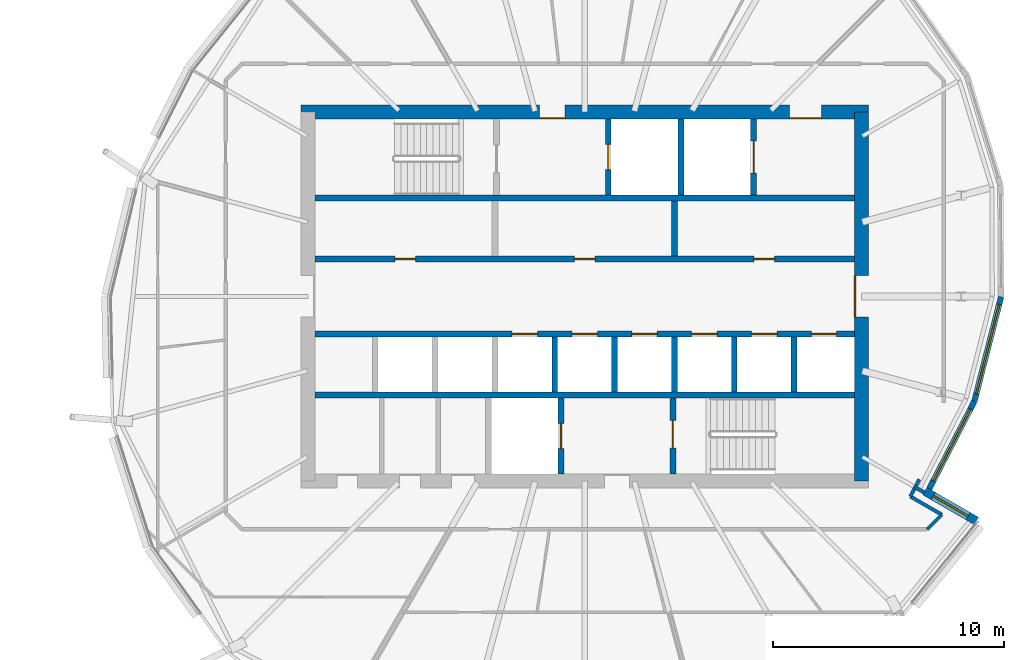
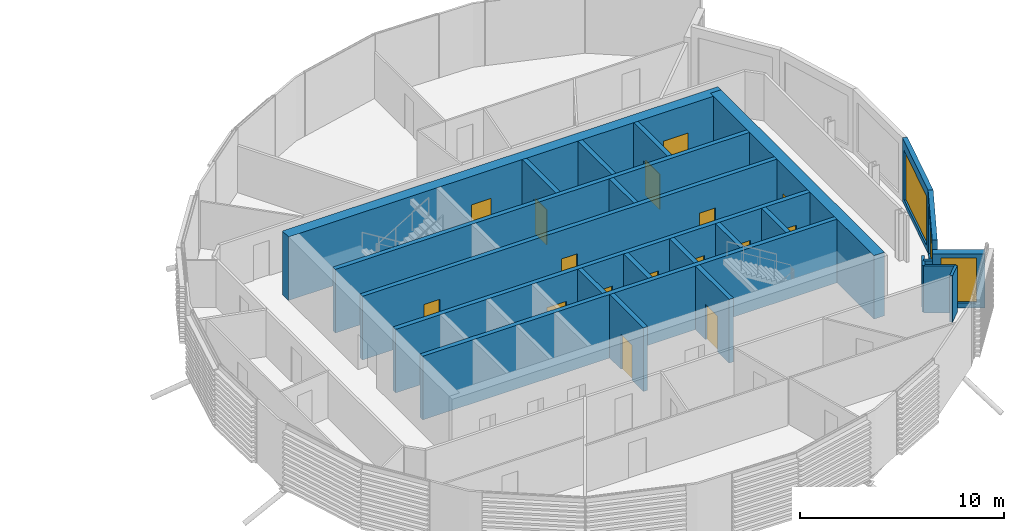
# One storey, part 23 of 38: 24 walls, 16 doors, 3 windows, 19 openings.
"""IFC4 building model written with IfcOpenShell, lengths in metres."""

from ifc_helpers import new_model, si_unit, direction, frame, frame_2d, origin, place, context, subcontext, project, spatial, rectangle, extrude, material, layer, layer_set, type_object, element, fill, save


model = new_model("IFC4")

# Units and contexts
model_context = context("Model", 3, precision=1e-05, world=origin(), true_north=direction((0.0, 1.0)))
body_context = subcontext(model_context, "Body", "Model", "MODEL_VIEW")
ifc_project = project(units=[si_unit("LENGTHUNIT", "METRE"), si_unit("AREAUNIT", "SQUARE_METRE"), si_unit("VOLUMEUNIT", "CUBIC_METRE"), si_unit("PLANEANGLEUNIT", "RADIAN"), si_unit("MASSUNIT", "GRAM", prefix="KILO")], contexts=[model_context])

# Site, building, storey
site_placement = place(None, origin())
site = spatial("IfcSite", under=ifc_project, at=site_placement, CompositionType="ELEMENT")
building_placement = place(site_placement, origin())
building = spatial("IfcBuilding", under=site, at=building_placement, Name="Rimbun Link Towers", CompositionType="ELEMENT")
storey_placement = place(building_placement, frame((0.0, 0.0, 185.5)))
storey = spatial("IfcBuildingStorey", under=building, at=storey_placement, Name="L45", CompositionType="ELEMENT", Elevation=185.5)

# Wall, opening, window
ifc_material_1 = material(Name="Dark enamelled glass spandrel on insulated aluminium backpan", Category="aluminium")
ifc_layer_1 = layer(ifc_material_1, 0.25)
ifc_layer_set_1 = layer_set([ifc_layer_1], Name="CS dark enamelled spandrel wall 250")
wall_type_1 = type_object("IfcWallType", Name="CS dark enamelled spandrel wall 250", PredefinedType="STANDARD", material=ifc_layer_set_1)
wall_1_placement = place(storey_placement, frame((48.65380859375, -4.54248046875, 0.0), z_axis=(0.0, 0.0, 1.0), x_axis=(-0.458536667943, -0.888675488664, 0.0)))
wall_1 = element("IfcWall", 1, at=wall_1_placement, inside=storey, type_object=wall_type_1, Name="Crease spandrel wall", PredefinedType="STANDARD", context=body_context, shape_type="SweptSolid", body=[
    extrude(rectangle(XDim=4.272705078125, YDim=0.25, at=frame_2d((2.13623046875, 0.0))), origin(), (0.0, 0.0, 1.0), 3.800048828125),
])
opening_1_placement = place(wall_1_placement, frame((0.386474609375, 0.0, 0.300048828125)))
opening_1 = element("IfcOpeningElement", 2, at=opening_1_placement, cuts=wall_1, Name="Opening WR35H295", PredefinedType="OPENING", context=body_context, shape_type="SweptSolid", body=[
    extrude(rectangle(XDim=3.5, YDim=2.949951171875, at=frame_2d((1.75, 1.47509765625))), frame((0.0, 0.135009765625, 0.0), z_axis=(0.0, -1.0, 0.0), x_axis=(1.0, 0.0, 0.0)), (0.0, 0.0, 1.0), 0.27001953125),
])
ifc_material_2 = material(Name="Aluminium framed fixed window, dark tinted low-e glass", Category="aluminium")
window_type_1 = type_object("IfcWindowType", Name="WR ribbon window 3500X2950", PartitioningType="SINGLE_PANEL", PredefinedType="WINDOW", material=ifc_material_2)
window_1_placement = place(opening_1_placement, origin())
window_1 = element("IfcWindow", 3, at=window_1_placement, inside=storey, type_object=window_type_1, Name="Crease ribbon window", OverallHeight=2.949951171875, OverallWidth=3.5, PartitioningType="SINGLE_PANEL", PredefinedType="WINDOW", context=body_context, shape_type="SweptSolid", body=[
    extrude(rectangle(XDim=3.5, YDim=2.949951171875, at=frame_2d((1.75, 1.47509765625))), frame((0.0, 0.030029296875, 0.0), z_axis=(0.0, -1.0, 0.0), x_axis=(1.0, 0.0, 0.0)), (0.0, 0.0, 1.0), 0.06005859375),
])
fill(opening_1, window_1)

wall_2_placement = place(storey_placement, frame((49.80908203125, -0.015380859375, 0.0), z_axis=(0.0, 0.0, 1.0), x_axis=(-0.247266343543, -0.968947550361, 0.0)))
wall_2 = element("IfcWall", 4, at=wall_2_placement, inside=storey, type_object=wall_type_1, Name="Crease spandrel wall", PredefinedType="STANDARD", context=body_context, shape_type="SweptSolid", body=[
    extrude(rectangle(XDim=4.672119140625, YDim=0.25, at=frame_2d((2.3359375, 0.0))), origin(), (0.0, 0.0, 1.0), 3.800048828125),
])
opening_2_placement = place(wall_2_placement, frame((0.336181640625, 0.0, 0.300048828125)))
opening_2 = element("IfcOpeningElement", 5, at=opening_2_placement, cuts=wall_2, Name="Opening WR40H295", PredefinedType="OPENING", context=body_context, shape_type="SweptSolid", body=[
    extrude(rectangle(XDim=4.0, YDim=2.949951171875, at=frame_2d((2.0, 1.47509765625))), frame((0.0, 0.135009765625, 0.0), z_axis=(0.0, -1.0, 0.0), x_axis=(1.0, 0.0, 0.0)), (0.0, 0.0, 1.0), 0.27001953125),
])
ifc_material_3 = material(Name="Aluminium framed fixed window, dark tinted low-e glass", Category="aluminium")
window_type_2 = type_object("IfcWindowType", Name="WR ribbon window 4000X2950", PartitioningType="SINGLE_PANEL", PredefinedType="WINDOW", material=ifc_material_3)
window_2_placement = place(opening_2_placement, origin())
window_2 = element("IfcWindow", 6, at=window_2_placement, inside=storey, type_object=window_type_2, Name="Crease ribbon window", OverallHeight=2.949951171875, OverallWidth=4.0, PartitioningType="SINGLE_PANEL", PredefinedType="WINDOW", context=body_context, shape_type="SweptSolid", body=[
    extrude(rectangle(XDim=4.0, YDim=2.949951171875, at=frame_2d((2.0, 1.47509765625))), frame((0.0, 0.030029296875, 0.0), z_axis=(0.0, -1.0, 0.0), x_axis=(1.0, 0.0, 0.0)), (0.0, 0.0, 1.0), 0.06005859375),
])
fill(opening_2, window_2)

ifc_material_4 = material(Name="Dark enamelled glass spandrel on insulated aluminium backpan", Category="aluminium")
ifc_layer_2 = layer(ifc_material_4, 0.3701171875)
ifc_layer_set_2 = layer_set([ifc_layer_2], Name="CS dark enamelled spandrel wall 370")
wall_type_2 = type_object("IfcWallType", Name="CS dark enamelled spandrel wall 370", PredefinedType="STANDARD", material=ifc_layer_set_2)
wall_3_placement = place(storey_placement, frame((46.50390625, -8.443115234375, 0.0), z_axis=(0.0, 0.0, 1.0), x_axis=(0.866021702275, -0.500006411147, 0.0)))
wall_3 = element("IfcWall", 7, at=wall_3_placement, inside=storey, type_object=wall_type_2, Name="Crease spandrel wall", PredefinedType="STANDARD", context=body_context, shape_type="SweptSolid", body=[
    extrude(rectangle(XDim=2.580078125, YDim=0.3701171875, at=frame_2d((1.2900390625, 0.0))), origin(), (0.0, 0.0, 1.0), 3.233642578125),
])
opening_3_placement = place(wall_3_placement, frame((0.4150390625, 0.0, 0.300048828125)))
opening_3 = element("IfcOpeningElement", 8, at=opening_3_placement, cuts=wall_3, Name="Opening WR18H270", PredefinedType="OPENING", context=body_context, shape_type="SweptSolid", body=[
    extrude(rectangle(XDim=1.75, YDim=2.699951171875, at=frame_2d((0.875, 1.35009765625))), frame((0.0, 0.195068359375, 0.0), z_axis=(0.0, -1.0, 0.0), x_axis=(1.0, 0.0, 0.0)), (0.0, 0.0, 1.0), 0.39013671875),
])
ifc_material_5 = material(Name="Aluminium framed fixed window, dark tinted low-e glass", Category="aluminium")
window_type_3 = type_object("IfcWindowType", Name="WR ribbon window 1750X2700", PartitioningType="SINGLE_PANEL", PredefinedType="WINDOW", material=ifc_material_5)
window_3_placement = place(opening_3_placement, origin())
window_3 = element("IfcWindow", 9, at=window_3_placement, inside=storey, type_object=window_type_3, Name="Crease ribbon window", OverallHeight=2.699951171875, OverallWidth=1.75, PartitioningType="SINGLE_PANEL", PredefinedType="WINDOW", context=body_context, shape_type="SweptSolid", body=[
    extrude(rectangle(XDim=1.75, YDim=2.699951171875, at=frame_2d((0.875, 1.35009765625))), frame((0.0, 0.030029296875, 0.0), z_axis=(0.0, -1.0, 0.0), x_axis=(1.0, 0.0, 0.0)), (0.0, 0.0, 1.0), 0.06005859375),
])
fill(opening_3, window_3)

# Wall, openings, doors
ifc_material_6 = material(Name="Concrete C60/75", Category="concrete")
ifc_layer_3 = layer(ifc_material_6, 0.60009765625)
ifc_layer_set_3 = layer_set([ifc_layer_3], Name="Core shear wall 600")
wall_type_3 = type_object("IfcWallType", Name="Core shear wall 600", PredefinedType="SHEAR", material=ifc_layer_set_3)
wall_4_placement = place(storey_placement, frame((19.449951171875, 8.0, 0.0), z_axis=(0.0, 0.0, 1.0), x_axis=(1.0, 0.0, 0.0)))
wall_4 = element("IfcWall", 10, at=wall_4_placement, inside=storey, type_object=wall_type_3, Name="L45 T2 core wall N", PredefinedType="SHEAR", context=body_context, shape_type="SweptSolid", body=[
    extrude(rectangle(XDim=24.60009765625, YDim=0.60009765625, at=frame_2d((12.300048828125, 0.0))), origin(), (0.0, 0.0, 1.0), 3.800048828125),
])
opening_4_placement = place(wall_4_placement, frame((10.35009765625, 0.0, 0.0)))
opening_4 = element("IfcOpeningElement", 11, at=opening_4_placement, cuts=wall_4, Name="Opening C2DCF01N", PredefinedType="OPENING", context=body_context, shape_type="SweptSolid", body=[
    extrude(rectangle(XDim=1.10009765625, YDim=2.10009765625, at=frame_2d((0.550048828125, 1.050048828125))), frame((0.0, 0.31005859375, 0.0), z_axis=(0.0, -1.0, 0.0), x_axis=(1.0, 0.0, 0.0)), (0.0, 0.0, 1.0), 0.6201171875),
])
opening_5_placement = place(wall_4_placement, frame((21.175048828125, 0.0, 0.0)))
opening_5 = element("IfcOpeningElement", 12, at=opening_5_placement, cuts=wall_4, Name="Opening C2DSL02N", PredefinedType="OPENING", context=body_context, shape_type="SweptSolid", body=[
    extrude(rectangle(XDim=1.39990234375, YDim=2.10009765625, at=frame_2d((0.699951171875, 1.050048828125))), frame((0.0, 0.31005859375, 0.0), z_axis=(0.0, -1.0, 0.0), x_axis=(1.0, 0.0, 0.0)), (0.0, 0.0, 1.0), 0.6201171875),
])
ifc_material_7 = material(Name="Steel fire door set", Category="steel")
door_type_1 = type_object("IfcDoorType", Name="Core fire door single", OperationType="SINGLE_SWING_LEFT", PredefinedType="DOOR", material=ifc_material_7)
door_1_placement = place(opening_4_placement, origin())
door_1 = element("IfcDoor", 13, at=door_1_placement, inside=storey, type_object=door_type_1, Name="L45 T2 firefighting lobby n door", OperationType="SINGLE_SWING_LEFT", OverallHeight=2.10009765625, OverallWidth=1.10009765625, PredefinedType="DOOR", context=body_context, shape_type="SweptSolid", body=[
    extrude(rectangle(XDim=1.10009765625, YDim=2.10009765625, at=frame_2d((0.550048828125, 1.050048828125))), frame((0.0, -0.25, 0.0), z_axis=(0.0, -1.0, 0.0), x_axis=(1.0, 0.0, 0.0)), (0.0, 0.0, 1.0), 0.050048828125),
])
fill(opening_4, door_1)
ifc_material_8 = material(Name="Steel fire door set", Category="steel")
door_type_2 = type_object("IfcDoorType", Name="Service lobby door double", OperationType="DOUBLE_DOOR_SINGLE_SWING", PredefinedType="DOOR", material=ifc_material_8)
door_2_placement = place(opening_5_placement, origin())
door_2 = element("IfcDoor", 14, at=door_2_placement, inside=storey, type_object=door_type_2, Name="L45 T2 service lobby door", OperationType="DOUBLE_DOOR_SINGLE_SWING", OverallHeight=2.10009765625, OverallWidth=1.39990234375, PredefinedType="DOOR", context=body_context, shape_type="SweptSolid", body=[
    extrude(rectangle(XDim=1.39990234375, YDim=2.10009765625, at=frame_2d((0.699951171875, 1.050048828125))), frame((0.0, -0.25, 0.0), z_axis=(0.0, -1.0, 0.0), x_axis=(1.0, 0.0, 0.0)), (0.0, 0.0, 1.0), 0.050048828125),
])
fill(opening_5, door_2)

# Wall, opening, door
wall_5_placement = place(storey_placement, frame((43.75, -8.0, 0.0), z_axis=(0.0, 0.0, 1.0), x_axis=(0.0, 1.0, 0.0)))
wall_5 = element("IfcWall", 15, at=wall_5_placement, inside=storey, type_object=wall_type_3, Name="L45 T2 core wall E", PredefinedType="SHEAR", context=body_context, shape_type="SweptSolid", body=[
    extrude(rectangle(XDim=16.0, YDim=0.60009765625, at=frame_2d((8.0, 0.0))), origin(), (0.0, 0.0, 1.0), 3.800048828125),
])
opening_6_placement = place(wall_5_placement, frame((7.10009765625, 0.0, 0.0)))
opening_6 = element("IfcOpeningElement", 16, at=opening_6_placement, cuts=wall_5, Name="Opening C2DCL01E", PredefinedType="OPENING", context=body_context, shape_type="SweptSolid", body=[
    extrude(rectangle(XDim=1.800048828125, YDim=2.10009765625, at=frame_2d((0.89990234375, 1.050048828125))), frame((0.0, 0.31005859375, 0.0), z_axis=(0.0, -1.0, 0.0), x_axis=(1.0, 0.0, 0.0)), (0.0, 0.0, 1.0), 0.6201171875),
])
ifc_material_9 = material(Name="Steel fire door set", Category="steel")
door_type_3 = type_object("IfcDoorType", Name="Core lobby door double", OperationType="DOUBLE_DOOR_SINGLE_SWING", PredefinedType="DOOR", material=ifc_material_9)
door_3_placement = place(opening_6_placement, origin())
door_3 = element("IfcDoor", 17, at=door_3_placement, inside=storey, type_object=door_type_3, Name="L45 T2 lift lobby door", OperationType="DOUBLE_DOOR_SINGLE_SWING", OverallHeight=2.10009765625, OverallWidth=1.800048828125, PredefinedType="DOOR", context=body_context, shape_type="SweptSolid", body=[
    extrude(rectangle(XDim=1.800048828125, YDim=2.10009765625, at=frame_2d((0.89990234375, 1.050048828125))), frame((0.0, 0.2998046875, 0.0), z_axis=(0.0, -1.0, 0.0), x_axis=(1.0, 0.0, 0.0)), (0.0, 0.0, 1.0), 0.050048828125),
])
fill(opening_6, door_3)

# Walls
ifc_material_10 = material(Name="Plasterboard on steel stud, mineral wool", Category="steel")
ifc_layer_4 = layer(ifc_material_10, 0.14990234375)
ifc_layer_set_4 = layer_set([ifc_layer_4], Name="Corridor wall EI 30 150 mm")
wall_type_4 = type_object("IfcWallType", Name="Corridor wall EI 30 150 mm", PredefinedType="PARTITIONING", material=ifc_layer_set_4)
wall_6_placement = place(storey_placement, frame((45.874755859375, -8.674560546875, 0.0), z_axis=(0.0, 0.0, 1.0), x_axis=(0.458382769629, 0.888754879878, 0.0)))
element("IfcWall", 18, at=wall_6_placement, inside=storey, type_object=wall_type_4, Name="Corridor wall EI 30 150 mm", PredefinedType="PARTITIONING", context=body_context, shape_type="SweptSolid", body=[
    extrude(rectangle(XDim=0.836669921875, YDim=0.14990234375, at=frame_2d((0.41845703125, 0.0))), origin(), (0.0, 0.0, 1.0), 2.7890625),
])
wall_7_placement = place(storey_placement, frame((47.2373046875, -9.461181640625, 0.0), z_axis=(0.0, 0.0, 1.0), x_axis=(-0.866038294681, 0.499977671647, 0.0)))
element("IfcWall", 19, at=wall_7_placement, inside=storey, type_object=wall_type_4, Name="Corridor wall EI 30 150 mm", PredefinedType="PARTITIONING", context=body_context, shape_type="SweptSolid", body=[
    extrude(rectangle(XDim=1.5732421875, YDim=0.14990234375, at=frame_2d((0.78662109375, 0.0))), origin(), (0.0, 0.0, 1.0), 2.7890625),
])
wall_8_placement = place(storey_placement, frame((46.603759765625, -10.094970703125, 0.0), z_axis=(0.0, 0.0, 1.0), x_axis=(0.706970550234, 0.707242985898, 0.0)))
element("IfcWall", 20, at=wall_8_placement, inside=storey, type_object=wall_type_4, Name="Corridor wall EI 30 150 mm", PredefinedType="PARTITIONING", context=body_context, shape_type="SweptSolid", body=[
    extrude(rectangle(XDim=0.896240234375, YDim=0.14990234375, at=frame_2d((0.4482421875, 0.0))), origin(), (0.0, 0.0, 1.0), 2.7890625),
])
ifc_material_11 = material(Name="Concrete C60/75", Category="concrete")
ifc_layer_5 = layer(ifc_material_11, 0.25)
ifc_layer_set_5 = layer_set([ifc_layer_5], Name="Shaft wall 250")
wall_type_5 = type_object("IfcWallType", Name="Shaft wall 250", PredefinedType="SHEAR", material=ifc_layer_set_5)
for number, where, z_axis, x_axis, name in (
    (21, (20.050048828125, 4.27490234375, 0.0), (0.0, 0.0, 1.0), (1.0, 0.0, 0.0), "L45 T2 core wall BN"),
    (22, (20.050048828125, -4.27490234375, 0.0), (0.0, 0.0, 1.0), (1.0, 0.0, 0.0), "L45 T2 core wall BS"),
):
    element("IfcWall", number, at=place(storey_placement, frame(where, z_axis=z_axis, x_axis=x_axis)), inside=storey, type_object=wall_type_5, Name=name, PredefinedType="SHEAR", context=body_context, shape_type="SweptSolid", body=[
        extrude(rectangle(XDim=23.39990234375, YDim=0.25, at=frame_2d((11.699951171875, 0.0))), origin(), (0.0, 0.0, 1.0), 3.800048828125),
    ])

# Wall, openings, doors
wall_9_placement = place(storey_placement, frame((20.050048828125, 1.625, 0.0), z_axis=(0.0, 0.0, 1.0), x_axis=(1.0, 0.0, 0.0)))
wall_9 = element("IfcWall", 23, at=wall_9_placement, inside=storey, type_object=wall_type_5, Name="L45 T2 core wall FN", PredefinedType="SHEAR", context=body_context, shape_type="SweptSolid", body=[
    extrude(rectangle(XDim=23.39990234375, YDim=0.25, at=frame_2d((11.699951171875, 0.0))), origin(), (0.0, 0.0, 1.0), 3.800048828125),
])
opening_7_placement = place(wall_9_placement, frame((3.466796875, 0.0, 0.0)))
opening_7 = element("IfcOpeningElement", 24, at=opening_7_placement, cuts=wall_9, Name="Opening C2DRS01FN", PredefinedType="OPENING", context=body_context, shape_type="SweptSolid", body=[
    extrude(rectangle(XDim=0.89990234375, YDim=2.10009765625, at=frame_2d((0.449951171875, 1.050048828125))), frame((0.0, 0.135009765625, 0.0), z_axis=(0.0, -1.0, 0.0), x_axis=(1.0, 0.0, 0.0)), (0.0, 0.0, 1.0), 0.27001953125),
])
opening_8_placement = place(wall_9_placement, frame((11.25, 0.0, 0.0)))
opening_8 = element("IfcOpeningElement", 25, at=opening_8_placement, cuts=wall_9, Name="Opening C2DRS02FN", PredefinedType="OPENING", context=body_context, shape_type="SweptSolid", body=[
    extrude(rectangle(XDim=0.89990234375, YDim=2.10009765625, at=frame_2d((0.449951171875, 1.050048828125))), frame((0.0, 0.135009765625, 0.0), z_axis=(0.0, -1.0, 0.0), x_axis=(1.0, 0.0, 0.0)), (0.0, 0.0, 1.0), 0.27001953125),
])
opening_9_placement = place(wall_9_placement, frame((19.033203125, 0.0, 0.0)))
opening_9 = element("IfcOpeningElement", 26, at=opening_9_placement, cuts=wall_9, Name="Opening C2DRS03FN", PredefinedType="OPENING", context=body_context, shape_type="SweptSolid", body=[
    extrude(rectangle(XDim=0.89990234375, YDim=2.10009765625, at=frame_2d((0.449951171875, 1.050048828125))), frame((0.0, 0.135009765625, 0.0), z_axis=(0.0, -1.0, 0.0), x_axis=(1.0, 0.0, 0.0)), (0.0, 0.0, 1.0), 0.27001953125),
])
ifc_material_12 = material(Name="Steel fire door set", Category="steel")
door_type_4 = type_object("IfcDoorType", Name="Core riser door", OperationType="SINGLE_SWING_LEFT", PredefinedType="DOOR", material=ifc_material_12)
door_4_placement = place(opening_7_placement, origin())
door_4 = element("IfcDoor", 27, at=door_4_placement, inside=storey, type_object=door_type_4, Name="L45 T2 records store door", OperationType="SINGLE_SWING_LEFT", OverallHeight=2.10009765625, OverallWidth=0.89990234375, PredefinedType="DOOR", context=body_context, shape_type="SweptSolid", body=[
    extrude(rectangle(XDim=0.89990234375, YDim=2.10009765625, at=frame_2d((0.449951171875, 1.050048828125))), frame((0.0, 0.02490234375, 0.0), z_axis=(0.0, -1.0, 0.0), x_axis=(1.0, 0.0, 0.0)), (0.0, 0.0, 1.0), 0.050048828125),
])
fill(opening_7, door_4)
door_5_placement = place(opening_8_placement, origin())
door_5 = element("IfcDoor", 28, at=door_5_placement, inside=storey, type_object=door_type_4, Name="L45 T2 training store door", OperationType="SINGLE_SWING_LEFT", OverallHeight=2.10009765625, OverallWidth=0.89990234375, PredefinedType="DOOR", context=body_context, shape_type="SweptSolid", body=[
    extrude(rectangle(XDim=0.89990234375, YDim=2.10009765625, at=frame_2d((0.449951171875, 1.050048828125))), frame((0.0, 0.02490234375, 0.0), z_axis=(0.0, -1.0, 0.0), x_axis=(1.0, 0.0, 0.0)), (0.0, 0.0, 1.0), 0.050048828125),
])
fill(opening_8, door_5)
door_6_placement = place(opening_9_placement, origin())
door_6 = element("IfcDoor", 29, at=door_6_placement, inside=storey, type_object=door_type_4, Name="L45 T2 meeting pod door", OperationType="SINGLE_SWING_LEFT", OverallHeight=2.10009765625, OverallWidth=0.89990234375, PredefinedType="DOOR", context=body_context, shape_type="SweptSolid", body=[
    extrude(rectangle(XDim=0.89990234375, YDim=2.10009765625, at=frame_2d((0.449951171875, 1.050048828125))), frame((0.0, 0.02490234375, 0.0), z_axis=(0.0, -1.0, 0.0), x_axis=(1.0, 0.0, 0.0)), (0.0, 0.0, 1.0), 0.050048828125),
])
fill(opening_9, door_6)

wall_10_placement = place(storey_placement, frame((20.050048828125, -1.625, 0.0), z_axis=(0.0, 0.0, 1.0), x_axis=(1.0, 0.0, 0.0)))
wall_10 = element("IfcWall", 30, at=wall_10_placement, inside=storey, type_object=wall_type_5, Name="L45 T2 core wall FS", PredefinedType="SHEAR", context=body_context, shape_type="SweptSolid", body=[
    extrude(rectangle(XDim=23.39990234375, YDim=0.25, at=frame_2d((11.699951171875, 0.0))), origin(), (0.0, 0.0, 1.0), 3.800048828125),
])
opening_10_placement = place(wall_10_placement, frame((8.5556640625, 0.0, 0.0)))
opening_10 = element("IfcOpeningElement", 31, at=opening_10_placement, cuts=wall_10, Name="Opening LD-T2-HR1", PredefinedType="OPENING", context=body_context, shape_type="SweptSolid", body=[
    extrude(rectangle(XDim=1.10009765625, YDim=2.10009765625, at=frame_2d((0.550048828125, 1.050048828125))), frame((0.0, 0.135009765625, 0.0), z_axis=(0.0, -1.0, 0.0), x_axis=(1.0, 0.0, 0.0)), (0.0, 0.0, 1.0), 0.27001953125),
])
opening_11_placement = place(wall_10_placement, frame((11.14990234375, 0.0, 0.0)))
opening_11 = element("IfcOpeningElement", 32, at=opening_11_placement, cuts=wall_10, Name="Opening LD-T2-HR2", PredefinedType="OPENING", context=body_context, shape_type="SweptSolid", body=[
    extrude(rectangle(XDim=1.10009765625, YDim=2.10009765625, at=frame_2d((0.550048828125, 1.050048828125))), frame((0.0, 0.135009765625, 0.0), z_axis=(0.0, -1.0, 0.0), x_axis=(1.0, 0.0, 0.0)), (0.0, 0.0, 1.0), 0.27001953125),
])
opening_12_placement = place(wall_10_placement, frame((13.744384765625, 0.0, 0.0)))
opening_12 = element("IfcOpeningElement", 33, at=opening_12_placement, cuts=wall_10, Name="Opening LD-T2-HR3", PredefinedType="OPENING", context=body_context, shape_type="SweptSolid", body=[
    extrude(rectangle(XDim=1.10009765625, YDim=2.10009765625, at=frame_2d((0.550048828125, 1.050048828125))), frame((0.0, 0.135009765625, 0.0), z_axis=(0.0, -1.0, 0.0), x_axis=(1.0, 0.0, 0.0)), (0.0, 0.0, 1.0), 0.27001953125),
])
opening_13_placement = place(wall_10_placement, frame((16.3388671875, 0.0, 0.0)))
opening_13 = element("IfcOpeningElement", 34, at=opening_13_placement, cuts=wall_10, Name="Opening LD-T2-HR4", PredefinedType="OPENING", context=body_context, shape_type="SweptSolid", body=[
    extrude(rectangle(XDim=1.10009765625, YDim=2.10009765625, at=frame_2d((0.550048828125, 1.050048828125))), frame((0.0, 0.135009765625, 0.0), z_axis=(0.0, -1.0, 0.0), x_axis=(1.0, 0.0, 0.0)), (0.0, 0.0, 1.0), 0.27001953125),
])
opening_14_placement = place(wall_10_placement, frame((18.933349609375, 0.0, 0.0)))
opening_14 = element("IfcOpeningElement", 35, at=opening_14_placement, cuts=wall_10, Name="Opening LD-T2-HR5", PredefinedType="OPENING", context=body_context, shape_type="SweptSolid", body=[
    extrude(rectangle(XDim=1.10009765625, YDim=2.10009765625, at=frame_2d((0.550048828125, 1.050048828125))), frame((0.0, 0.135009765625, 0.0), z_axis=(0.0, -1.0, 0.0), x_axis=(1.0, 0.0, 0.0)), (0.0, 0.0, 1.0), 0.27001953125),
])
opening_15_placement = place(wall_10_placement, frame((21.52783203125, 0.0, 0.0)))
opening_15 = element("IfcOpeningElement", 36, at=opening_15_placement, cuts=wall_10, Name="Opening LD-T2-HR6", PredefinedType="OPENING", context=body_context, shape_type="SweptSolid", body=[
    extrude(rectangle(XDim=1.10009765625, YDim=2.10009765625, at=frame_2d((0.550048828125, 1.050048828125))), frame((0.0, 0.135009765625, 0.0), z_axis=(0.0, -1.0, 0.0), x_axis=(1.0, 0.0, 0.0)), (0.0, 0.0, 1.0), 0.27001953125),
])
ifc_material_13 = material(Name="Stainless steel grade 316", Category="steel")
door_type_5 = type_object("IfcDoorType", Name="Lift landing door", OperationType="DOUBLE_DOOR_SLIDING", PredefinedType="DOOR", material=ifc_material_13)
door_7_placement = place(opening_10_placement, origin())
door_7 = element("IfcDoor", 37, at=door_7_placement, inside=storey, type_object=door_type_5, Name="L45 T2 lift HR1 landing door", OperationType="DOUBLE_DOOR_SLIDING", OverallHeight=2.10009765625, OverallWidth=1.10009765625, PredefinedType="DOOR", context=body_context, shape_type="SweptSolid", body=[
    extrude(rectangle(XDim=1.10009765625, YDim=2.10009765625, at=frame_2d((0.550048828125, 1.050048828125))), frame((0.0, 0.02490234375, 0.0), z_axis=(0.0, -1.0, 0.0), x_axis=(1.0, 0.0, 0.0)), (0.0, 0.0, 1.0), 0.050048828125),
])
fill(opening_10, door_7)
door_8_placement = place(opening_11_placement, origin())
door_8 = element("IfcDoor", 38, at=door_8_placement, inside=storey, type_object=door_type_5, Name="L45 T2 lift HR2 landing door", OperationType="DOUBLE_DOOR_SLIDING", OverallHeight=2.10009765625, OverallWidth=1.10009765625, PredefinedType="DOOR", context=body_context, shape_type="SweptSolid", body=[
    extrude(rectangle(XDim=1.10009765625, YDim=2.10009765625, at=frame_2d((0.550048828125, 1.050048828125))), frame((0.0, 0.02490234375, 0.0), z_axis=(0.0, -1.0, 0.0), x_axis=(1.0, 0.0, 0.0)), (0.0, 0.0, 1.0), 0.050048828125),
])
fill(opening_11, door_8)
door_9_placement = place(opening_12_placement, origin())
door_9 = element("IfcDoor", 39, at=door_9_placement, inside=storey, type_object=door_type_5, Name="L45 T2 lift HR3 landing door", OperationType="DOUBLE_DOOR_SLIDING", OverallHeight=2.10009765625, OverallWidth=1.10009765625, PredefinedType="DOOR", context=body_context, shape_type="SweptSolid", body=[
    extrude(rectangle(XDim=1.10009765625, YDim=2.10009765625, at=frame_2d((0.550048828125, 1.050048828125))), frame((0.0, 0.02490234375, 0.0), z_axis=(0.0, -1.0, 0.0), x_axis=(1.0, 0.0, 0.0)), (0.0, 0.0, 1.0), 0.050048828125),
])
fill(opening_12, door_9)
door_10_placement = place(opening_13_placement, origin())
door_10 = element("IfcDoor", 40, at=door_10_placement, inside=storey, type_object=door_type_5, Name="L45 T2 lift HR4 landing door", OperationType="DOUBLE_DOOR_SLIDING", OverallHeight=2.10009765625, OverallWidth=1.10009765625, PredefinedType="DOOR", context=body_context, shape_type="SweptSolid", body=[
    extrude(rectangle(XDim=1.10009765625, YDim=2.10009765625, at=frame_2d((0.550048828125, 1.050048828125))), frame((0.0, 0.02490234375, 0.0), z_axis=(0.0, -1.0, 0.0), x_axis=(1.0, 0.0, 0.0)), (0.0, 0.0, 1.0), 0.050048828125),
])
fill(opening_13, door_10)
door_11_placement = place(opening_14_placement, origin())
door_11 = element("IfcDoor", 41, at=door_11_placement, inside=storey, type_object=door_type_5, Name="L45 T2 lift HR5 landing door", OperationType="DOUBLE_DOOR_SLIDING", OverallHeight=2.10009765625, OverallWidth=1.10009765625, PredefinedType="DOOR", context=body_context, shape_type="SweptSolid", body=[
    extrude(rectangle(XDim=1.10009765625, YDim=2.10009765625, at=frame_2d((0.550048828125, 1.050048828125))), frame((0.0, 0.02490234375, 0.0), z_axis=(0.0, -1.0, 0.0), x_axis=(1.0, 0.0, 0.0)), (0.0, 0.0, 1.0), 0.050048828125),
])
fill(opening_14, door_11)
door_12_placement = place(opening_15_placement, origin())
door_12 = element("IfcDoor", 42, at=door_12_placement, inside=storey, type_object=door_type_5, Name="L45 T2 lift HR6 landing door", OperationType="DOUBLE_DOOR_SLIDING", OverallHeight=2.10009765625, OverallWidth=1.10009765625, PredefinedType="DOOR", context=body_context, shape_type="SweptSolid", body=[
    extrude(rectangle(XDim=1.10009765625, YDim=2.10009765625, at=frame_2d((0.550048828125, 1.050048828125))), frame((0.0, 0.02490234375, 0.0), z_axis=(0.0, -1.0, 0.0), x_axis=(1.0, 0.0, 0.0)), (0.0, 0.0, 1.0), 0.050048828125),
])
fill(opening_15, door_12)

# Walls
for number, where, z_axis, x_axis, name in (
    (43, (35.6416015625, 1.75, 0.0), (0.0, 0.0, 1.0), (0.0, 1.0, 0.0), "L45 T2 core wall DN5"),
    (44, (30.452880859375, -4.14990234375, 0.0), (0.0, 0.0, 1.0), (0.0, 1.0, 0.0), "L45 T2 core wall DS3"),
    (45, (33.047119140625, -4.14990234375, 0.0), (0.0, 0.0, 1.0), (0.0, 1.0, 0.0), "L45 T2 core wall DS4"),
    (46, (35.6416015625, -4.14990234375, 0.0), (0.0, 0.0, 1.0), (0.0, 1.0, 0.0), "L45 T2 core wall DS5"),
    (47, (38.236083984375, -4.14990234375, 0.0), (0.0, 0.0, 1.0), (0.0, 1.0, 0.0), "L45 T2 core wall DS6"),
    (48, (40.83056640625, -4.14990234375, 0.0), (0.0, 0.0, 1.0), (0.0, 1.0, 0.0), "L45 T2 core wall DS7"),
):
    element("IfcWall", number, at=place(storey_placement, frame(where, z_axis=z_axis, x_axis=x_axis)), inside=storey, type_object=wall_type_5, Name=name, PredefinedType="SHEAR", context=body_context, shape_type="SweptSolid", body=[
        extrude(rectangle(XDim=2.39990234375, YDim=0.25, at=frame_2d((1.199951171875, 0.0))), origin(), (0.0, 0.0, 1.0), 3.800048828125),
    ])

# Wall, opening, door
wall_11_placement = place(storey_placement, frame((32.77490234375, 4.39990234375, 0.0), z_axis=(0.0, 0.0, 1.0), x_axis=(0.0, 1.0, 0.0)))
wall_11 = element("IfcWall", 49, at=wall_11_placement, inside=storey, type_object=wall_type_5, Name="L45 T2 core wall A2", PredefinedType="SHEAR", context=body_context, shape_type="SweptSolid", body=[
    extrude(rectangle(XDim=3.300048828125, YDim=0.25, at=frame_2d((1.64990234375, 0.0))), origin(), (0.0, 0.0, 1.0), 3.800048828125),
])
opening_16_placement = place(wall_11_placement, frame((1.10009765625, 0.0, 0.0)))
opening_16 = element("IfcOpeningElement", 50, at=opening_16_placement, cuts=wall_11, Name="Opening LD-T2-FF1", PredefinedType="OPENING", context=body_context, shape_type="SweptSolid", body=[
    extrude(rectangle(XDim=1.10009765625, YDim=2.10009765625, at=frame_2d((0.550048828125, 1.050048828125))), frame((0.0, 0.135009765625, 0.0), z_axis=(0.0, -1.0, 0.0), x_axis=(1.0, 0.0, 0.0)), (0.0, 0.0, 1.0), 0.27001953125),
])
door_13_placement = place(opening_16_placement, origin())
door_13 = element("IfcDoor", 51, at=door_13_placement, inside=storey, type_object=door_type_5, Name="L45 T2 lift FF1 landing door", OperationType="DOUBLE_DOOR_SLIDING", OverallHeight=2.10009765625, OverallWidth=1.10009765625, PredefinedType="DOOR", context=body_context, shape_type="SweptSolid", body=[
    extrude(rectangle(XDim=1.10009765625, YDim=2.10009765625, at=frame_2d((0.550048828125, 1.050048828125))), frame((0.0, 0.02490234375, 0.0), z_axis=(0.0, -1.0, 0.0), x_axis=(1.0, 0.0, 0.0)), (0.0, 0.0, 1.0), 0.050048828125),
])
fill(opening_16, door_13)

# Wall
wall_12_placement = place(storey_placement, frame((35.925048828125, 4.39990234375, 0.0), z_axis=(0.0, 0.0, 1.0), x_axis=(0.0, 1.0, 0.0)))
element("IfcWall", 52, at=wall_12_placement, inside=storey, type_object=wall_type_5, Name="L45 T2 core wall A3", PredefinedType="SHEAR", context=body_context, shape_type="SweptSolid", body=[
    extrude(rectangle(XDim=3.300048828125, YDim=0.25, at=frame_2d((1.64990234375, 0.0))), origin(), (0.0, 0.0, 1.0), 3.800048828125),
])

# Wall, opening, door
wall_13_placement = place(storey_placement, frame((39.074951171875, 4.39990234375, 0.0), z_axis=(0.0, 0.0, 1.0), x_axis=(0.0, 1.0, 0.0)))
wall_13 = element("IfcWall", 53, at=wall_13_placement, inside=storey, type_object=wall_type_5, Name="L45 T2 core wall A4", PredefinedType="SHEAR", context=body_context, shape_type="SweptSolid", body=[
    extrude(rectangle(XDim=3.300048828125, YDim=0.25, at=frame_2d((1.64990234375, 0.0))), origin(), (0.0, 0.0, 1.0), 3.800048828125),
])
opening_17_placement = place(wall_13_placement, frame((0.949951171875, 0.0, 0.0)))
opening_17 = element("IfcOpeningElement", 54, at=opening_17_placement, cuts=wall_13, Name="Opening LD-T2-GL1", PredefinedType="OPENING", context=body_context, shape_type="SweptSolid", body=[
    extrude(rectangle(XDim=1.39990234375, YDim=2.10009765625, at=frame_2d((0.699951171875, 1.050048828125))), frame((0.0, 0.135009765625, 0.0), z_axis=(0.0, -1.0, 0.0), x_axis=(1.0, 0.0, 0.0)), (0.0, 0.0, 1.0), 0.27001953125),
])
ifc_material_14 = material(Name="Stainless steel grade 316", Category="steel")
door_type_6 = type_object("IfcDoorType", Name="Goods lift landing door", OperationType="DOUBLE_DOOR_SLIDING", PredefinedType="DOOR", material=ifc_material_14)
door_14_placement = place(opening_17_placement, origin())
door_14 = element("IfcDoor", 55, at=door_14_placement, inside=storey, type_object=door_type_6, Name="L45 T2 lift GL1 landing door", OperationType="DOUBLE_DOOR_SLIDING", OverallHeight=2.10009765625, OverallWidth=1.39990234375, PredefinedType="DOOR", context=body_context, shape_type="SweptSolid", body=[
    extrude(rectangle(XDim=1.39990234375, YDim=2.10009765625, at=frame_2d((0.699951171875, 1.050048828125))), frame((0.0, 0.02490234375, 0.0), z_axis=(0.0, -1.0, 0.0), x_axis=(1.0, 0.0, 0.0)), (0.0, 0.0, 1.0), 0.050048828125),
])
fill(opening_17, door_14)

wall_14_placement = place(storey_placement, frame((35.574951171875, -4.39990234375, 0.0), z_axis=(0.0, 0.0, 1.0), x_axis=(0.0, -1.0, 0.0)))
wall_14 = element("IfcWall", 56, at=wall_14_placement, inside=storey, type_object=wall_type_5, Name="L45 T2 core wall B1", PredefinedType="SHEAR", context=body_context, shape_type="SweptSolid", body=[
    extrude(rectangle(XDim=3.300048828125, YDim=0.25, at=frame_2d((1.64990234375, 0.0))), origin(), (0.0, 0.0, 1.0), 3.800048828125),
])
opening_18_placement = place(wall_14_placement, frame((0.97509765625, 0.0, 0.0)))
opening_18 = element("IfcOpeningElement", 57, at=opening_18_placement, cuts=wall_14, Name="Opening C2DST01B1", PredefinedType="OPENING", context=body_context, shape_type="SweptSolid", body=[
    extrude(rectangle(XDim=1.199951171875, YDim=2.10009765625, at=frame_2d((0.60009765625, 1.050048828125))), frame((0.0, 0.135009765625, 0.0), z_axis=(0.0, -1.0, 0.0), x_axis=(1.0, 0.0, 0.0)), (0.0, 0.0, 1.0), 0.27001953125),
])
ifc_material_15 = material(Name="Steel fire door set", Category="steel")
door_type_7 = type_object("IfcDoorType", Name="Stair door", OperationType="SINGLE_SWING_LEFT", PredefinedType="DOOR", material=ifc_material_15)
door_15_placement = place(opening_18_placement, origin())
door_15 = element("IfcDoor", 58, at=door_15_placement, inside=storey, type_object=door_type_7, Name="L45 T2 stair b door", OperationType="SINGLE_SWING_RIGHT", OverallHeight=2.10009765625, OverallWidth=1.199951171875, PredefinedType="DOOR", context=body_context, shape_type="SweptSolid", body=[
    extrude(rectangle(XDim=1.199951171875, YDim=2.10009765625, at=frame_2d((0.60009765625, 1.050048828125))), frame((0.0, 0.02490234375, 0.0), z_axis=(0.0, -1.0, 0.0), x_axis=(1.0, 0.0, 0.0)), (0.0, 0.0, 1.0), 0.050048828125),
])
fill(opening_18, door_15)

wall_15_placement = place(storey_placement, frame((30.72509765625, -4.39990234375, 0.0), z_axis=(0.0, 0.0, 1.0), x_axis=(0.0, -1.0, 0.0)))
wall_15 = element("IfcWall", 59, at=wall_15_placement, inside=storey, type_object=wall_type_5, Name="L45 T2 core wall B2", PredefinedType="SHEAR", context=body_context, shape_type="SweptSolid", body=[
    extrude(rectangle(XDim=3.300048828125, YDim=0.25, at=frame_2d((1.64990234375, 0.0))), origin(), (0.0, 0.0, 1.0), 3.800048828125),
])
opening_19_placement = place(wall_15_placement, frame((1.10009765625, 0.0, 0.0)))
opening_19 = element("IfcOpeningElement", 60, at=opening_19_placement, cuts=wall_15, Name="Opening LD-T2-FF2", PredefinedType="OPENING", context=body_context, shape_type="SweptSolid", body=[
    extrude(rectangle(XDim=1.10009765625, YDim=2.10009765625, at=frame_2d((0.550048828125, 1.050048828125))), frame((0.0, 0.135009765625, 0.0), z_axis=(0.0, -1.0, 0.0), x_axis=(1.0, 0.0, 0.0)), (0.0, 0.0, 1.0), 0.27001953125),
])
door_16_placement = place(opening_19_placement, origin())
door_16 = element("IfcDoor", 61, at=door_16_placement, inside=storey, type_object=door_type_5, Name="L45 T2 lift FF2 landing door", OperationType="DOUBLE_DOOR_SLIDING", OverallHeight=2.10009765625, OverallWidth=1.10009765625, PredefinedType="DOOR", context=body_context, shape_type="SweptSolid", body=[
    extrude(rectangle(XDim=1.10009765625, YDim=2.10009765625, at=frame_2d((0.550048828125, 1.050048828125))), frame((0.0, 0.02490234375, 0.0), z_axis=(0.0, -1.0, 0.0), x_axis=(1.0, 0.0, 0.0)), (0.0, 0.0, 1.0), 0.050048828125),
])
fill(opening_19, door_16)

# Wall
ifc_material_16 = material(Name="Plasterboard on steel stud, mineral wool", Category="steel")
ifc_layer_6 = layer(ifc_material_16, 0.14990234375)
ifc_layer_set_6 = layer_set([ifc_layer_6], Name="Tenancy separation wall EI 60 150 mm")
wall_type_6 = type_object("IfcWallType", Name="Tenancy separation wall EI 60 150 mm", PredefinedType="PARTITIONING", material=ifc_layer_set_6)
wall_16_placement = place(storey_placement, frame((46.081298828125, -8.274169921875, 0.0), z_axis=(0.0, 0.0, 1.0), x_axis=(0.8659328762, -0.500160228243, 0.0)))
element("IfcWall", 62, at=wall_16_placement, inside=storey, type_object=wall_type_6, Name="Tenancy separation wall EI 60 150 mm", PredefinedType="PARTITIONING", context=body_context, shape_type="SweptSolid", body=[
    extrude(rectangle(XDim=0.450439453125, YDim=0.14990234375, at=frame_2d((0.22509765625, 0.0))), origin(), (0.0, 0.0, 1.0), 2.7890625),
])

save(model, "model.ifc")
